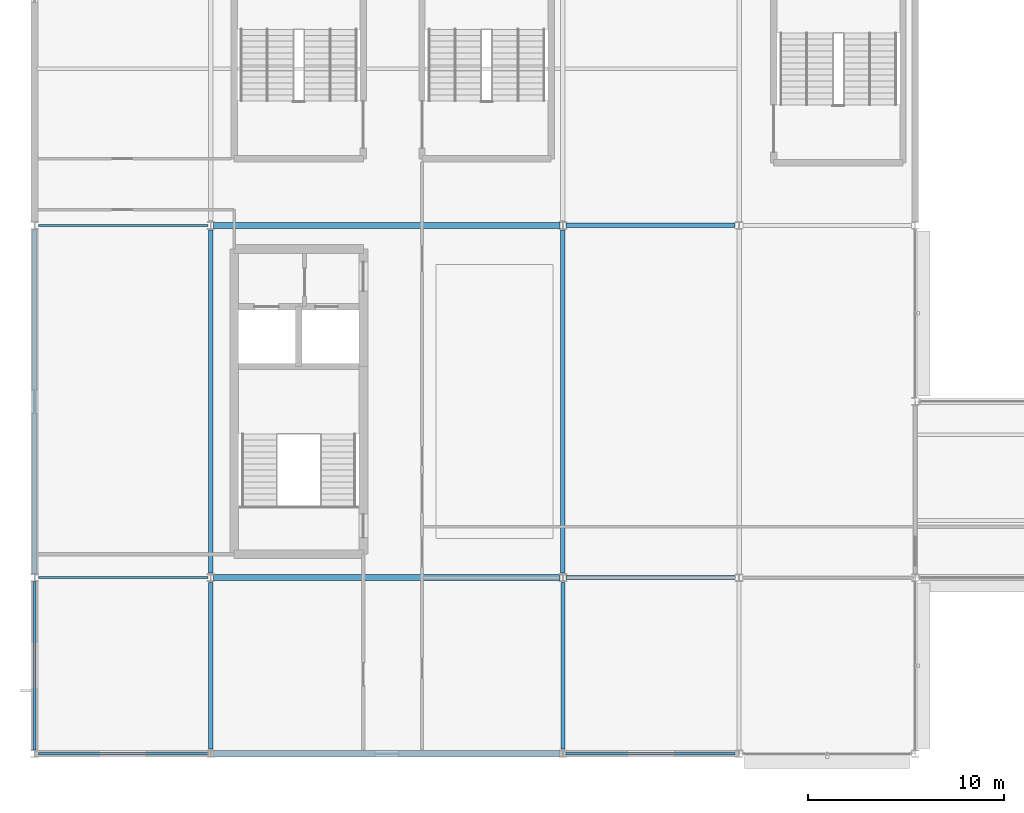
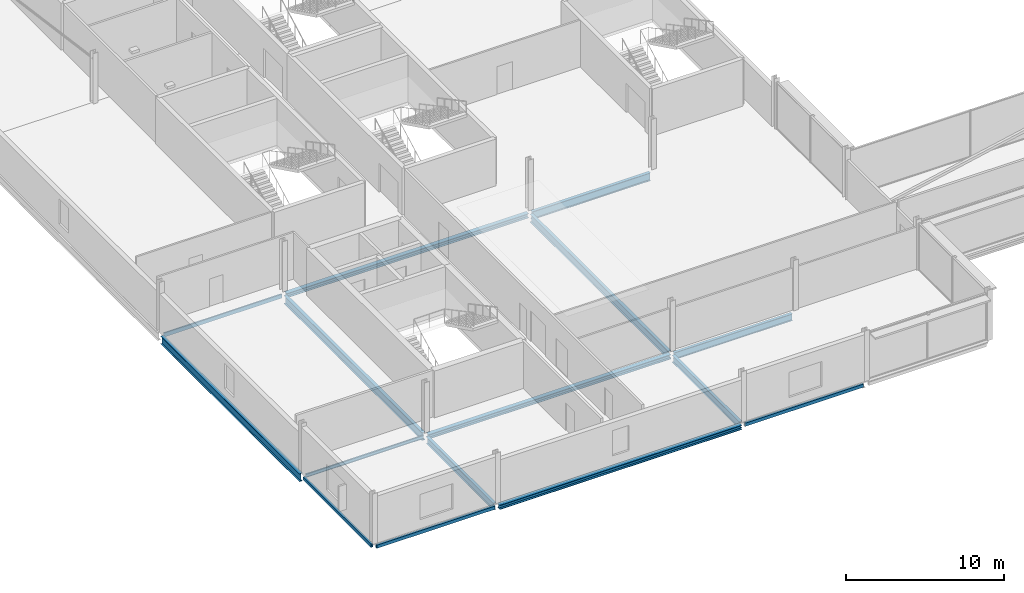
# One storey, part 17 of 98: 15 beams.
"""IFC4 building model written with IfcOpenShell, lengths in metres."""

from ifc_helpers import new_model, si_unit, direction, frame, origin, origin_2d, place, context, subcontext, project, spatial, hollow_rectangle, i_section, u_section, extrude, material, material_profile, profile_set, type_object, element, save


model = new_model("IFC4")

# Units and contexts
model_context = context("Model", 3, precision=1e-05, world=origin(), true_north=direction((0.0, 1.0)))
body_context = subcontext(model_context, "Body", "Model", "MODEL_VIEW")
ifc_project = project(units=[si_unit("LENGTHUNIT", "METRE"), si_unit("AREAUNIT", "SQUARE_METRE"), si_unit("VOLUMEUNIT", "CUBIC_METRE"), si_unit("PLANEANGLEUNIT", "RADIAN"), si_unit("MASSUNIT", "GRAM", prefix="KILO")], contexts=[model_context])

# Site, building, storey
site_placement = place(None, origin())
site = spatial("IfcSite", under=ifc_project, at=site_placement, CompositionType="ELEMENT")
building_placement = place(site_placement, origin())
building = spatial("IfcBuilding", under=site, at=building_placement, Name="Kisiwana Market Hall", CompositionType="ELEMENT")
storey_placement = place(building_placement, frame((0.0, 0.0, 29.39990234375)))
storey = spatial("IfcBuildingStorey", under=building, at=storey_placement, Name="L06", CompositionType="ELEMENT", Elevation=29.39990234375)

# Beams
ifc_material_1 = material(Name="Steel S355", Category="steel")
ifc_material_profile_1 = material_profile(ifc_material_1, i_section(OverallWidth=0.230224609375, OverallDepth=0.6171875, WebThickness=0.01318359375, FlangeThickness=0.022216796875, FilletRadius=0.0126953125, at=origin_2d()), Name="UB 610x229x140")
ifc_profile_set_1 = profile_set([ifc_material_profile_1], Name="Steel S355")
beam_type_1 = type_object("IfcBeamType", Name="BM-GIRD-UB140", PredefinedType="BEAM", material=ifc_profile_set_1)
beam_1_placement = place(storey_placement, frame((27.14599609375, 36.0, -0.553466796875), z_axis=(1.0, 0.0, 0.0), x_axis=(0.0, 1.0, 0.0)))
element("IfcBeam", 1, at=beam_1_placement, inside=storey, type_object=beam_type_1, Name="Floor beam B-1805", PredefinedType="BEAM", context=body_context, shape_type="SweptSolid", body=[
    extrude(i_section(OverallWidth=0.230224609375, OverallDepth=0.6171875, WebThickness=0.01318359375, FlangeThickness=0.022216796875, FilletRadius=0.0126953125, at=origin_2d()), origin(), (0.0, 0.0, 1.0), 8.65478515625),
])
ifc_material_2 = material(Name="Steel S355", Category="steel")
ifc_material_profile_2 = material_profile(ifc_material_2, i_section(OverallWidth=0.209228515625, OverallDepth=0.533203125, WebThickness=0.010009765625, FlangeThickness=0.015625, at=origin_2d()), Name="UB 533x210x92")
ifc_profile_set_2 = profile_set([ifc_material_profile_2], Name="Steel S355")
beam_type_2 = type_object("IfcBeamType", Name="BM-GIRD-UB533", PredefinedType="BEAM", material=ifc_profile_set_2)
beam_2_placement = place(storey_placement, frame((27.14599609375, 18.0, -0.511474609375), z_axis=(1.0, 0.0, 0.0), x_axis=(0.0, 1.0, 0.0)))
element("IfcBeam", 2, at=beam_2_placement, inside=storey, type_object=beam_type_2, Name="Floor beam B-1785", PredefinedType="BEAM", context=body_context, shape_type="SweptSolid", body=[
    extrude(i_section(OverallWidth=0.209228515625, OverallDepth=0.533203125, WebThickness=0.010009765625, FlangeThickness=0.015625, at=origin_2d()), origin(), (0.0, 0.0, 1.0), 8.65478515625),
])
for number, where, z_axis, x_axis, name in (
    (3, (9.0, 9.24609375, -0.511474609375), (0.0, 1.0, 0.0), (-1.0, 0.0, 0.0), "Primary girder B-1701"),
    (4, (27.0, 9.24609375, -0.511474609375), (0.0, 1.0, 0.0), (-1.0, 0.0, 0.0), "Primary girder B-1707"),
):
    element("IfcBeam", number, at=place(storey_placement, frame(where, z_axis=z_axis, x_axis=x_axis)), inside=storey, type_object=beam_type_2, Name=name, PredefinedType="BEAM", context=body_context, shape_type="SweptSolid", body=[
        extrude(i_section(OverallWidth=0.209228515625, OverallDepth=0.533203125, WebThickness=0.010009765625, FlangeThickness=0.015625, at=origin_2d()), origin(), (0.0, 0.0, 1.0), 8.5078125),
    ])
ifc_material_3 = material(Name="Steel S355", Category="steel")
ifc_material_profile_3 = material_profile(ifc_material_3, i_section(OverallWidth=0.22900390625, OverallDepth=0.6123046875, WebThickness=0.011962890625, FlangeThickness=0.01953125, at=origin_2d()), Name="UB 610x229x125")
ifc_profile_set_3 = profile_set([ifc_material_profile_3], Name="Steel S355")
beam_type_3 = type_object("IfcBeamType", Name="BM-GIRD-UB610H", PredefinedType="BEAM", material=ifc_profile_set_3)
beam_3_placement = place(storey_placement, frame((0.0, 18.19921875, -0.551025390625), z_axis=(0.0, 1.0, 0.0), x_axis=(-1.0, 0.0, 0.0)))
element("IfcBeam", 5, at=beam_3_placement, inside=storey, type_object=beam_type_3, Name="Floor beam B-1850", PredefinedType="BEAM", context=body_context, shape_type="SweptSolid", body=[
    extrude(i_section(OverallWidth=0.22900390625, OverallDepth=0.6123046875, WebThickness=0.011962890625, FlangeThickness=0.01953125, at=origin_2d()), origin(), (0.0, 0.0, 1.0), 17.6015625),
])
for number, where, z_axis, x_axis, name in (
    (6, (9.0, 18.24609375, -0.551025390625), (0.0, 1.0, 0.0), (-1.0, 0.0, 0.0), "Primary girder B-1702"),
    (7, (27.0, 18.24609375, -0.551025390625), (0.0, 1.0, 0.0), (-1.0, 0.0, 0.0), "Primary girder B-1708"),
):
    element("IfcBeam", number, at=place(storey_placement, frame(where, z_axis=z_axis, x_axis=x_axis)), inside=storey, type_object=beam_type_3, Name=name, PredefinedType="BEAM", context=body_context, shape_type="SweptSolid", body=[
        extrude(i_section(OverallWidth=0.22900390625, OverallDepth=0.6123046875, WebThickness=0.011962890625, FlangeThickness=0.01953125, at=origin_2d()), origin(), (0.0, 0.0, 1.0), 17.5078125),
    ])
ifc_material_4 = material(Name="Steel S355", Category="steel")
ifc_material_profile_4 = material_profile(ifc_material_4, i_section(OverallWidth=0.102294921875, OverallDepth=0.260498046875, WebThickness=0.00634765625, FlangeThickness=0.010009765625, FilletRadius=0.007568359375, at=origin_2d()), Name="UB 254x102x28")
ifc_profile_set_4 = profile_set([ifc_material_profile_4], Name="Steel S355")
beam_type_4 = type_object("IfcBeamType", Name="BM-JOIST-UB028", PredefinedType="JOIST", material=ifc_profile_set_4)
beam_4_placement = place(storey_placement, frame((0.19921875, 18.0, -0.375), z_axis=(1.0, 0.0, 0.0), x_axis=(0.0, 1.0, 0.0)))
element("IfcBeam", 8, at=beam_4_placement, inside=storey, type_object=beam_type_4, Name="Floor beam B-1783", PredefinedType="JOIST", context=body_context, shape_type="SweptSolid", body=[
    extrude(i_section(OverallWidth=0.102294921875, OverallDepth=0.260498046875, WebThickness=0.00634765625, FlangeThickness=0.010009765625, FilletRadius=0.007568359375, at=origin_2d()), origin(), (0.0, 0.0, 1.0), 8.65478515625),
])
ifc_material_5 = material(Name="Steel S355", Category="steel")
ifc_material_profile_5 = material_profile(ifc_material_5, i_section(OverallWidth=0.314453125, OverallDepth=0.33984375, WebThickness=0.01904296875, FlangeThickness=0.031494140625, at=origin_2d()), Name="UC 305x305x198")
ifc_profile_set_5 = profile_set([ifc_material_profile_5], Name="Steel S355")
beam_type_5 = type_object("IfcBeamType", Name="BM-SKYBR-CHORD", PredefinedType="BEAM", material=ifc_profile_set_5)
for number, where, z_axis, x_axis, name in (
    (9, (9.14599609375, 9.0, -0.414794921875), (1.0, 0.0, 0.0), (0.0, 1.0, 0.0), "Floor beam B-1776"),
    (10, (9.14599609375, 18.0, -0.414794921875), (1.0, 0.0, 0.0), (0.0, 1.0, 0.0), "Floor beam B-1784"),
    (11, (9.14599609375, 36.0, -0.414794921875), (1.0, 0.0, 0.0), (0.0, 1.0, 0.0), "Floor beam B-1804"),
):
    element("IfcBeam", number, at=place(storey_placement, frame(where, z_axis=z_axis, x_axis=x_axis)), inside=storey, type_object=beam_type_5, Name=name, PredefinedType="BEAM", context=body_context, shape_type="SweptSolid", body=[
        extrude(i_section(OverallWidth=0.314453125, OverallDepth=0.33984375, WebThickness=0.01904296875, FlangeThickness=0.031494140625, at=origin_2d()), origin(), (0.0, 0.0, 1.0), 17.7080078125),
    ])
ifc_material_6 = material(Name="Steel S355", Category="steel")
ifc_material_profile_6 = material_profile(ifc_material_6, u_section(Depth=0.300048828125, FlangeWidth=0.10009765625, WebThickness=0.009033203125, FlangeThickness=0.0166015625, at=origin_2d()), Name="PFC 300x100x46")
ifc_profile_set_6 = profile_set([ifc_material_profile_6], Name="Steel S355")
beam_type_6 = type_object("IfcBeamType", Name="BM-SPAN-PFC300", PredefinedType="SPANDREL", material=ifc_profile_set_6)
beam_5_placement = place(storey_placement, frame((0.19921875, 36.0, -0.39501953125), z_axis=(1.0, 0.0, 0.0), x_axis=(0.0, 1.0, 0.0)))
element("IfcBeam", 12, at=beam_5_placement, inside=storey, type_object=beam_type_6, Name="Floor beam B-1803", PredefinedType="SPANDREL", context=body_context, shape_type="SweptSolid", body=[
    extrude(u_section(Depth=0.300048828125, FlangeWidth=0.10009765625, WebThickness=0.009033203125, FlangeThickness=0.0166015625, at=origin_2d()), origin(), (0.0, 0.0, 1.0), 8.65478515625),
])
ifc_material_7 = material(Name="Steel S355", Category="steel")
ifc_material_profile_7 = material_profile(ifc_material_7, hollow_rectangle(XDim=0.14990234375, YDim=0.25, WallThickness=0.010009765625, at=origin_2d()), Name="RHS 250x150x10.0")
ifc_profile_set_7 = profile_set([ifc_material_profile_7], Name="Steel S355")
beam_type_7 = type_object("IfcBeamType", Name="BM-SPAN-RHS250", PredefinedType="SPANDREL", material=ifc_profile_set_7)
for number, where, z_axis, x_axis, name in (
    (13, (0.19921875, 9.0, -0.369873046875), (1.0, 0.0, 0.0), (0.0, 1.0, 0.0), "Floor beam B-1775"),
    (14, (27.14599609375, 9.0, -0.369873046875), (1.0, 0.0, 0.0), (0.0, 1.0, 0.0), "Floor beam B-1777"),
):
    element("IfcBeam", number, at=place(storey_placement, frame(where, z_axis=z_axis, x_axis=x_axis)), inside=storey, type_object=beam_type_7, Name=name, PredefinedType="SPANDREL", context=body_context, shape_type="SweptSolid", body=[
        extrude(hollow_rectangle(XDim=0.14990234375, YDim=0.25, WallThickness=0.010009765625, at=origin_2d()), origin(), (0.0, 0.0, 1.0), 8.65478515625),
    ])
beam_6_placement = place(storey_placement, frame((0.0, 9.19921875, -0.369873046875), z_axis=(0.0, 1.0, 0.0), x_axis=(-1.0, 0.0, 0.0)))
element("IfcBeam", 15, at=beam_6_placement, inside=storey, type_object=beam_type_7, Name="Floor beam B-1849", PredefinedType="SPANDREL", context=body_context, shape_type="SweptSolid", body=[
    extrude(hollow_rectangle(XDim=0.14990234375, YDim=0.25, WallThickness=0.010009765625, at=origin_2d()), origin(), (0.0, 0.0, 1.0), 8.6015625),
])

save(model, "model.ifc")
